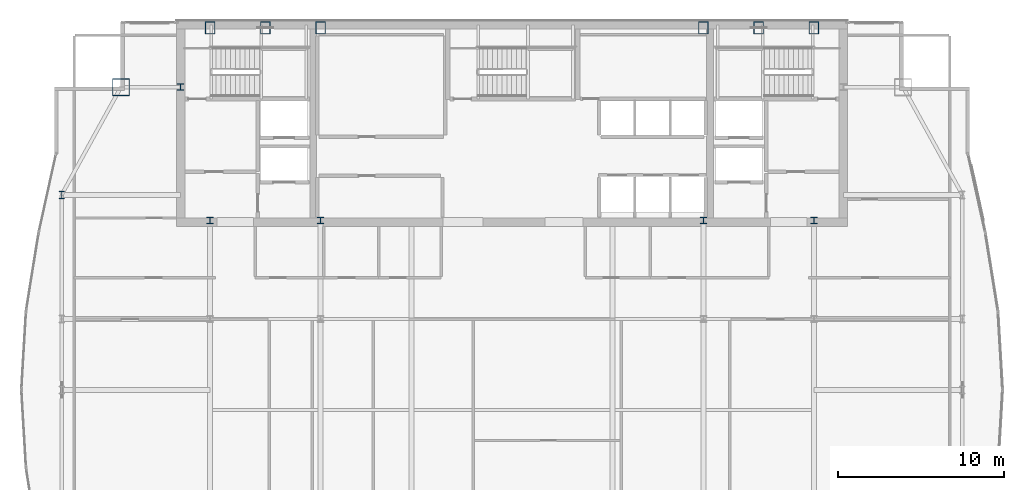
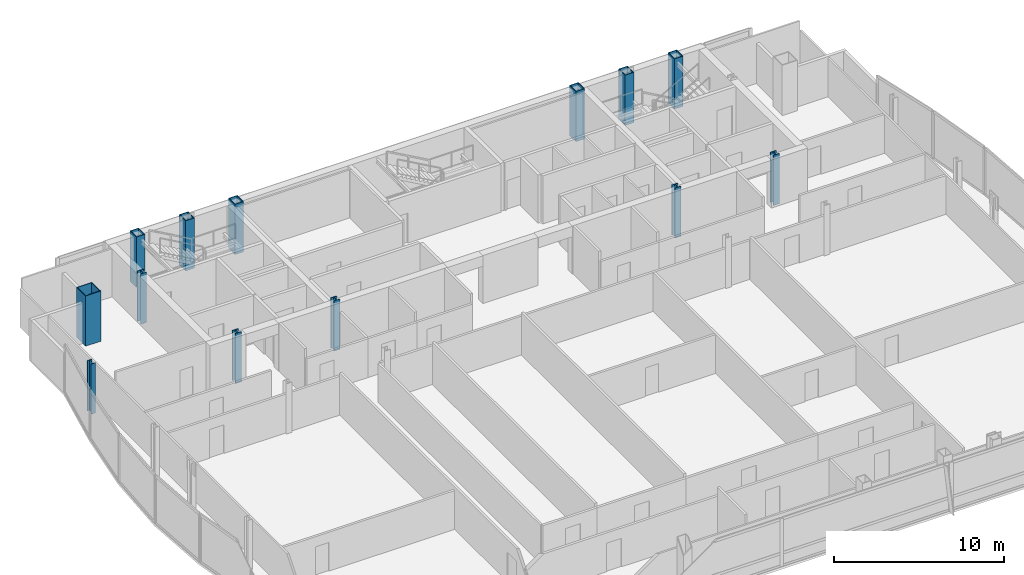
# One storey, part 3 of 30: 13 columns.
"""IFC4 building model written with IfcOpenShell, lengths in metres."""

from ifc_helpers import new_model, si_unit, direction, frame, origin, origin_2d, place, context, subcontext, project, spatial, hollow_rectangle, i_section, extrude, material, material_profile, profile_set, type_object, element, save


model = new_model("IFC4")

# Units and contexts
model_context = context("Model", 3, precision=1e-05, world=origin(), true_north=direction((0.0, 1.0)))
body_context = subcontext(model_context, "Body", "Model", "MODEL_VIEW")
ifc_project = project(units=[si_unit("LENGTHUNIT", "METRE"), si_unit("AREAUNIT", "SQUARE_METRE"), si_unit("VOLUMEUNIT", "CUBIC_METRE"), si_unit("PLANEANGLEUNIT", "RADIAN"), si_unit("MASSUNIT", "GRAM", prefix="KILO")], contexts=[model_context])

# Site, building, storey
site_placement = place(None, origin())
site = spatial("IfcSite", under=ifc_project, at=site_placement, CompositionType="ELEMENT")
building_placement = place(site_placement, origin())
building = spatial("IfcBuilding", under=site, at=building_placement, Name="Khoronbel Lancet Exchange", CompositionType="ELEMENT")
storey_placement = place(building_placement, frame((0.0, 0.0, 269.800048828125)))
storey = spatial("IfcBuildingStorey", under=building, at=storey_placement, Name="L69", CompositionType="ELEMENT", Elevation=269.800048828125)

# Columns
ifc_material_1 = material(Name="Steel S460", Category="steel")
ifc_material_profile_1 = material_profile(ifc_material_1, hollow_rectangle(XDim=0.60009765625, YDim=0.75, WallThickness=0.044921875, at=origin_2d()), Name="BOX 750x600x45")
ifc_profile_set_1 = profile_set([ifc_material_profile_1], Name="Steel S460")
column_type_1 = type_object("IfcColumnType", Name="COL-EC3", PredefinedType="COLUMN", material=ifc_profile_set_1)
for number, where, z_axis, x_axis, name in (
    (1, (18.22509765625, 53.280029296875, 0.0), (0.0, 0.0, 1.0), (1.0, 0.0, 0.0), "Structural column NC-W1 L69"),
    (2, (21.5625, 53.280029296875, 0.0), (0.0, 0.0, 1.0), (1.0, 0.0, 0.0), "Structural column NC-WM L69"),
    (3, (24.89990234375, 53.280029296875, 0.0), (0.0, 0.0, 1.0), (1.0, 0.0, 0.0), "Structural column NC-W2 L69"),
    (4, (48.0, 53.280029296875, 0.0), (0.0, 0.0, 1.0), (1.0, 0.0, 0.0), "Structural column NC-E1 L69"),
    (5, (51.33740234375, 53.280029296875, 0.0), (0.0, 0.0, 1.0), (1.0, 0.0, 0.0), "Structural column NC-EM L69"),
    (6, (54.675048828125, 53.280029296875, 0.0), (0.0, 0.0, 1.0), (1.0, 0.0, 0.0), "Structural column NC-E2 L69"),
):
    element("IfcColumn", number, at=place(storey_placement, frame(where, z_axis=z_axis, x_axis=x_axis)), inside=storey, type_object=column_type_1, Name=name, PredefinedType="COLUMN", context=body_context, shape_type="SweptSolid", body=[
        extrude(hollow_rectangle(XDim=0.60009765625, YDim=0.75, WallThickness=0.044921875, at=origin_2d()), origin(), (0.0, 0.0, 1.0), 3.599853515625),
    ])
ifc_material_2 = material(Name="Steel S355", Category="steel")
ifc_material_profile_2 = material_profile(ifc_material_2, i_section(OverallWidth=0.39892578125, OverallDepth=0.39306640625, WebThickness=0.022705078125, FlangeThickness=0.03662109375, at=origin_2d()), Name="HD 400x287")
ifc_profile_set_2 = profile_set([ifc_material_profile_2], Name="Steel S355")
column_type_2 = type_object("IfcColumnType", Name="COL-IC4", PredefinedType="COLUMN", material=ifc_profile_set_2)
for number, where, z_axis, x_axis, name in (
    (7, (16.449951171875, 49.699951171875, 0.0), (0.0, 0.0, 1.0), (1.0, 0.0, 0.0), "Core-flank plumb transfer column CFW L69"),
    (8, (18.22509765625, 41.64990234375, 0.0), (0.0, 0.0, 1.0), (1.0, 0.0, 0.0), "Core-embedded steel column CTC1 L69"),
    (9, (24.89990234375, 41.64990234375, 0.0), (0.0, 0.0, 1.0), (1.0, 0.0, 0.0), "Core-embedded steel column CTC2 L69"),
    (10, (48.0, 41.64990234375, 0.0), (0.0, 0.0, 1.0), (1.0, 0.0, 0.0), "Core-embedded steel column CTC3 L69"),
    (11, (54.675048828125, 41.64990234375, 0.0), (0.0, 0.0, 1.0), (1.0, 0.0, 0.0), "Core-embedded steel column CTC4 L69"),
):
    element("IfcColumn", number, at=place(storey_placement, frame(where, z_axis=z_axis, x_axis=x_axis)), inside=storey, type_object=column_type_2, Name=name, PredefinedType="COLUMN", context=body_context, shape_type="SweptSolid", body=[
        extrude(i_section(OverallWidth=0.39892578125, OverallDepth=0.39306640625, WebThickness=0.022705078125, FlangeThickness=0.03662109375, at=origin_2d()), origin(), (0.0, 0.0, 1.0), 3.599853515625),
    ])
ifc_material_profile_3 = material_profile(ifc_material_2, i_section(OverallWidth=0.300048828125, OverallDepth=0.449951171875, WebThickness=0.013916015625, FlangeThickness=0.02587890625, at=origin_2d()), Name="HEB 450")
ifc_profile_set_3 = profile_set([ifc_material_profile_3], Name="Steel S355")
column_type_3 = type_object("IfcColumnType", Name="COL-LC2", PredefinedType="COLUMN", material=ifc_profile_set_3)
column_1_placement = place(storey_placement, frame((9.27001953125, 43.199951171875, 0.0), z_axis=(0.0, 0.0, 1.0), x_axis=(1.0, 0.0, 0.0)))
element("IfcColumn", 12, at=column_1_placement, inside=storey, type_object=column_type_3, Name="Structural column WC-4 L69", PredefinedType="COLUMN", context=body_context, shape_type="SweptSolid", body=[
    extrude(i_section(OverallWidth=0.300048828125, OverallDepth=0.449951171875, WebThickness=0.013916015625, FlangeThickness=0.02587890625, at=origin_2d()), origin(), (0.0, 0.0, 1.0), 3.599853515625),
])
ifc_material_profile_4 = material_profile(ifc_material_1, hollow_rectangle(XDim=1.050048828125, YDim=1.050048828125, WallThickness=0.054931640625, at=origin_2d()), Name="BOX 1050x1050x55")
ifc_profile_set_4 = profile_set([ifc_material_profile_4], Name="Steel S460")
column_type_4 = type_object("IfcColumnType", Name="COL-MC6", PredefinedType="COLUMN", material=ifc_profile_set_4)
column_2_placement = place(storey_placement, frame((12.85009765625, 49.699951171875, 0.0), z_axis=(0.0, 0.0, 1.0), x_axis=(1.0, 0.0, 0.0)))
element("IfcColumn", 13, at=column_2_placement, inside=storey, type_object=column_type_4, Name="Structural column MC-NW L69", PredefinedType="COLUMN", context=body_context, shape_type="SweptSolid", body=[
    extrude(hollow_rectangle(XDim=1.050048828125, YDim=1.050048828125, WallThickness=0.054931640625, at=origin_2d()), origin(), (0.0, 0.0, 1.0), 3.599853515625),
])

save(model, "model.ifc")
